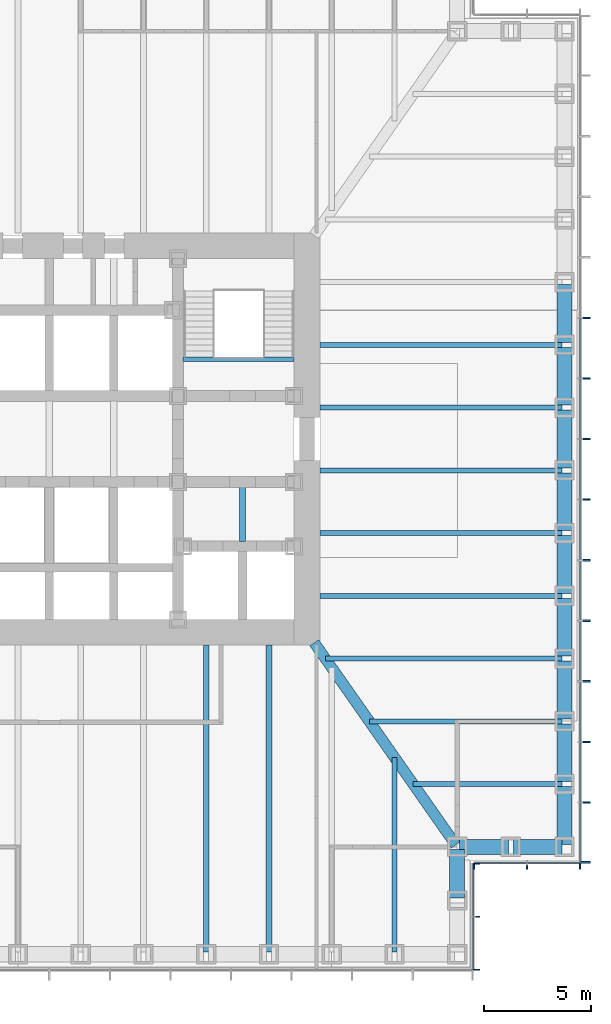
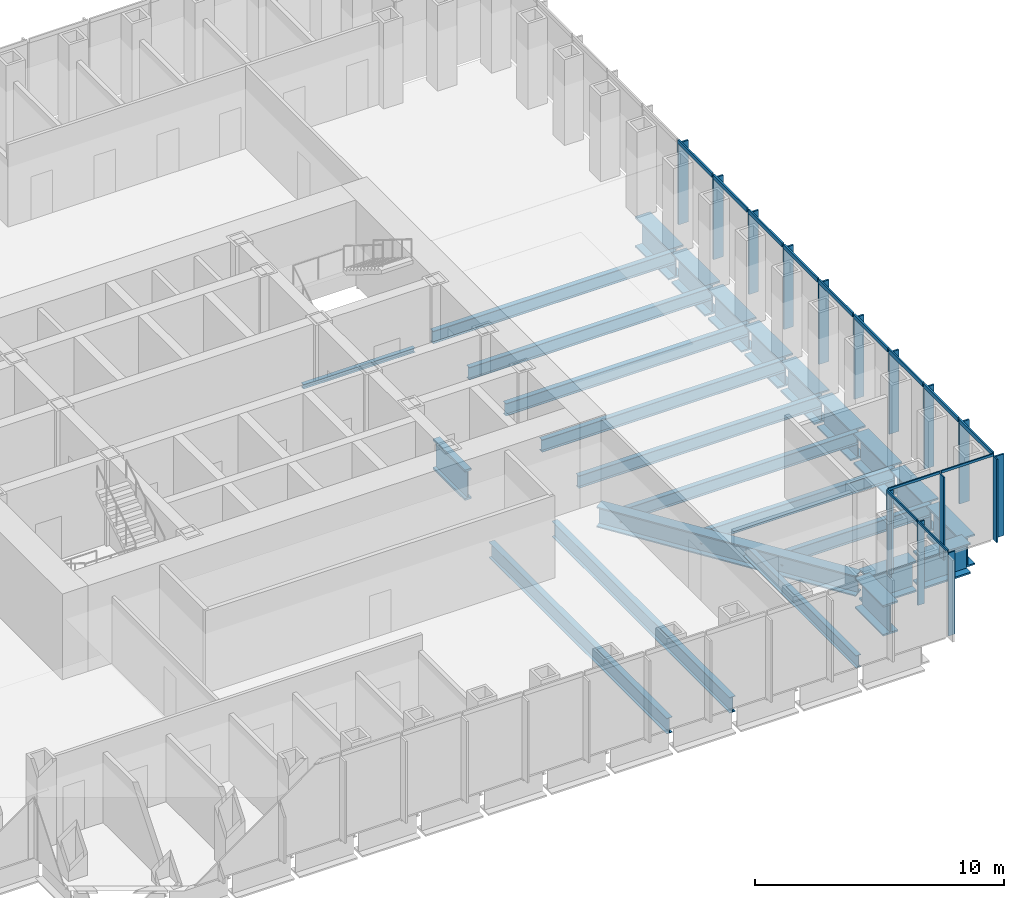
# One storey, part 4 of 16: 29 members, 26 beams, 3 elements without a shape of their own.
"""IFC4 building model written with IfcOpenShell, lengths in metres."""

from ifc_helpers import new_model, si_unit, direction, frame, origin, origin_2d, place, context, subcontext, project, spatial, rectangle, i_section, extrude, material, material_profile, profile_set, type_object, element, aggregate, save


model = new_model("IFC4")

# Units and contexts
model_context = context("Model", 3, precision=1e-05, world=origin(), true_north=direction((0.0, 1.0)))
body_context = subcontext(model_context, "Body", "Model", "MODEL_VIEW")
ifc_project = project(units=[si_unit("LENGTHUNIT", "METRE"), si_unit("AREAUNIT", "SQUARE_METRE"), si_unit("VOLUMEUNIT", "CUBIC_METRE"), si_unit("PLANEANGLEUNIT", "RADIAN"), si_unit("MASSUNIT", "GRAM", prefix="KILO")], contexts=[model_context])

# Site, building, storey
site_placement = place(None, origin())
site = spatial("IfcSite", under=ifc_project, at=site_placement, CompositionType="ELEMENT")
building_placement = place(site_placement, origin())
building = spatial("IfcBuilding", under=site, at=building_placement, Name="Daluyong Arena Tower", CompositionType="ELEMENT")
storey_placement = place(building_placement, frame((0.0, 0.0, 93.699951171875)))
storey = spatial("IfcBuildingStorey", under=building, at=storey_placement, Name="L20", CompositionType="ELEMENT", Elevation=93.699951171875)

# Curtain wall, members
ifc_material_1 = material(Name="Bronze anodised aluminium and glass", Category="aluminium")
curtain_wall_type_1 = type_object("IfcCurtainWallType", Name="Curtain wall CW1", PredefinedType="USERDEFINED", material=ifc_material_1)
curtain_wall_1_placement = place(storey_placement, origin())
curtain_wall_1 = element("IfcCurtainWall", 1, at=curtain_wall_1_placement, inside=storey, type_object=curtain_wall_type_1, Name="curtain wall L20 E", ObjectType="UNITISED CURTAIN WALL", PredefinedType="USERDEFINED")
ifc_material_2 = material(Name="Bronze anodised aluminium fin", Category="aluminium")
ifc_material_profile_1 = material_profile(ifc_material_2, rectangle(XDim=0.449951171875, YDim=0.080078125, at=origin_2d()))
ifc_profile_set_1 = profile_set([ifc_material_profile_1], Name="Bronze anodised aluminium fin")
member_type_1 = type_object("IfcMemberType", Name="CW1 bronze fin 450x80", PredefinedType="MULLION", material=ifc_profile_set_1)
member_1_placement = place(storey_placement, frame((80.97509765625, 60.2900390625, 0.0), z_axis=(0.0, 0.0, 1.0), x_axis=(-1.0, 0.0, 0.0)))
member_1 = element("IfcMember", 2, at=member_1_placement, type_object=member_type_1, Name="curtain wall L20 E fin 1", PredefinedType="MULLION", context=body_context, shape_type="SweptSolid", body=[
    extrude(rectangle(XDim=0.449951171875, YDim=0.080078125, at=origin_2d()), origin(), (0.0, 0.0, 1.0), 4.0),
])
member_2_placement = place(storey_placement, frame((80.97509765625, 63.071533203125, 0.0), z_axis=(0.0, 0.0, 1.0), x_axis=(-1.0, 0.0, 0.0)))
member_2 = element("IfcMember", 3, at=member_2_placement, type_object=member_type_1, Name="curtain wall L20 E fin 2", PredefinedType="MULLION", context=body_context, shape_type="SweptSolid", body=[
    extrude(rectangle(XDim=0.449951171875, YDim=0.080078125, at=origin_2d()), origin(), (0.0, 0.0, 1.0), 4.0),
])
member_3_placement = place(storey_placement, frame((80.97509765625, 65.892822265625, 0.0), z_axis=(0.0, 0.0, 1.0), x_axis=(-1.0, 0.0, 0.0)))
member_3 = element("IfcMember", 4, at=member_3_placement, type_object=member_type_1, Name="curtain wall L20 E fin 3", PredefinedType="MULLION", context=body_context, shape_type="SweptSolid", body=[
    extrude(rectangle(XDim=0.449951171875, YDim=0.080078125, at=origin_2d()), origin(), (0.0, 0.0, 1.0), 4.0),
])
member_4_placement = place(storey_placement, frame((80.97509765625, 68.71435546875, 0.0), z_axis=(0.0, 0.0, 1.0), x_axis=(-1.0, 0.0, 0.0)))
member_4 = element("IfcMember", 5, at=member_4_placement, type_object=member_type_1, Name="curtain wall L20 E fin 4", PredefinedType="MULLION", context=body_context, shape_type="SweptSolid", body=[
    extrude(rectangle(XDim=0.449951171875, YDim=0.080078125, at=origin_2d()), origin(), (0.0, 0.0, 1.0), 4.0),
])
member_5_placement = place(storey_placement, frame((80.97509765625, 71.53564453125, 0.0), z_axis=(0.0, 0.0, 1.0), x_axis=(-1.0, 0.0, 0.0)))
member_5 = element("IfcMember", 6, at=member_5_placement, type_object=member_type_1, Name="curtain wall L20 E fin 5", PredefinedType="MULLION", context=body_context, shape_type="SweptSolid", body=[
    extrude(rectangle(XDim=0.449951171875, YDim=0.080078125, at=origin_2d()), origin(), (0.0, 0.0, 1.0), 4.0),
])
member_6_placement = place(storey_placement, frame((80.97509765625, 74.357177734375, 0.0), z_axis=(0.0, 0.0, 1.0), x_axis=(-1.0, 0.0, 0.0)))
member_6 = element("IfcMember", 7, at=member_6_placement, type_object=member_type_1, Name="curtain wall L20 E fin 6", PredefinedType="MULLION", context=body_context, shape_type="SweptSolid", body=[
    extrude(rectangle(XDim=0.449951171875, YDim=0.080078125, at=origin_2d()), origin(), (0.0, 0.0, 1.0), 4.0),
])
member_7_placement = place(storey_placement, frame((80.97509765625, 77.178466796875, 0.0), z_axis=(0.0, 0.0, 1.0), x_axis=(-1.0, 0.0, 0.0)))
member_7 = element("IfcMember", 8, at=member_7_placement, type_object=member_type_1, Name="curtain wall L20 E fin 7", PredefinedType="MULLION", context=body_context, shape_type="SweptSolid", body=[
    extrude(rectangle(XDim=0.449951171875, YDim=0.080078125, at=origin_2d()), origin(), (0.0, 0.0, 1.0), 4.0),
])
member_8_placement = place(storey_placement, frame((80.97509765625, 80.0, 0.0), z_axis=(0.0, 0.0, 1.0), x_axis=(-1.0, 0.0, 0.0)))
member_8 = element("IfcMember", 9, at=member_8_placement, type_object=member_type_1, Name="curtain wall L20 E fin 8", PredefinedType="MULLION", context=body_context, shape_type="SweptSolid", body=[
    extrude(rectangle(XDim=0.449951171875, YDim=0.080078125, at=origin_2d()), origin(), (0.0, 0.0, 1.0), 4.0),
])
member_9_placement = place(storey_placement, frame((80.97509765625, 82.821533203125, 0.0), z_axis=(0.0, 0.0, 1.0), x_axis=(-1.0, 0.0, 0.0)))
member_9 = element("IfcMember", 10, at=member_9_placement, type_object=member_type_1, Name="curtain wall L20 E fin 9", PredefinedType="MULLION", context=body_context, shape_type="SweptSolid", body=[
    extrude(rectangle(XDim=0.449951171875, YDim=0.080078125, at=origin_2d()), origin(), (0.0, 0.0, 1.0), 4.0),
])
member_10_placement = place(storey_placement, frame((80.97509765625, 85.642822265625, 0.0), z_axis=(0.0, 0.0, 1.0), x_axis=(-1.0, 0.0, 0.0)))
member_10 = element("IfcMember", 11, at=member_10_placement, type_object=member_type_1, Name="curtain wall L20 E fin 10", PredefinedType="MULLION", context=body_context, shape_type="SweptSolid", body=[
    extrude(rectangle(XDim=0.449951171875, YDim=0.080078125, at=origin_2d()), origin(), (0.0, 0.0, 1.0), 4.0),
])
ifc_material_3 = material(Name="Bronze anodised aluminium", Category="aluminium")
ifc_material_profile_2 = material_profile(ifc_material_3, rectangle(XDim=0.080078125, YDim=0.199951171875, at=origin_2d()))
ifc_profile_set_2 = profile_set([ifc_material_profile_2], Name="Bronze anodised aluminium")
member_type_2 = type_object("IfcMemberType", Name="CW1 stack transom 200x80", PredefinedType="USERDEFINED", material=ifc_profile_set_2)
member_11_placement = place(storey_placement, frame((80.75, 60.330078125, 4.10009765625), z_axis=(0.0, 1.0, 0.0), x_axis=(-1.0, 0.0, 0.0)))
member_11 = element("IfcMember", 12, at=member_11_placement, type_object=member_type_2, Name="curtain wall L20 E transom 1", ObjectType="TRANSOM", PredefinedType="USERDEFINED", context=body_context, shape_type="SweptSolid", body=[
    extrude(rectangle(XDim=0.080078125, YDim=0.199951171875, at=origin_2d()), origin(), (0.0, 0.0, 1.0), 2.701416015625),
])
member_12_placement = place(storey_placement, frame((80.75, 63.111328125, 4.10009765625), z_axis=(0.0, 1.0, 0.0), x_axis=(-1.0, 0.0, 0.0)))
member_12 = element("IfcMember", 13, at=member_12_placement, type_object=member_type_2, Name="curtain wall L20 E transom 2", ObjectType="TRANSOM", PredefinedType="USERDEFINED", context=body_context, shape_type="SweptSolid", body=[
    extrude(rectangle(XDim=0.080078125, YDim=0.199951171875, at=origin_2d()), origin(), (0.0, 0.0, 1.0), 2.741455078125),
])
member_13_placement = place(storey_placement, frame((80.75, 65.932861328125, 4.10009765625), z_axis=(0.0, 1.0, 0.0), x_axis=(-1.0, 0.0, 0.0)))
member_13 = element("IfcMember", 14, at=member_13_placement, type_object=member_type_2, Name="curtain wall L20 E transom 3", ObjectType="TRANSOM", PredefinedType="USERDEFINED", context=body_context, shape_type="SweptSolid", body=[
    extrude(rectangle(XDim=0.080078125, YDim=0.199951171875, at=origin_2d()), origin(), (0.0, 0.0, 1.0), 2.741455078125),
])
member_14_placement = place(storey_placement, frame((80.75, 68.75439453125, 4.10009765625), z_axis=(0.0, 1.0, 0.0), x_axis=(-1.0, 0.0, 0.0)))
member_14 = element("IfcMember", 15, at=member_14_placement, type_object=member_type_2, Name="curtain wall L20 E transom 4", ObjectType="TRANSOM", PredefinedType="USERDEFINED", context=body_context, shape_type="SweptSolid", body=[
    extrude(rectangle(XDim=0.080078125, YDim=0.199951171875, at=origin_2d()), origin(), (0.0, 0.0, 1.0), 2.7412109375),
])
member_15_placement = place(storey_placement, frame((80.75, 71.57568359375, 4.10009765625), z_axis=(0.0, 1.0, 0.0), x_axis=(-1.0, 0.0, 0.0)))
member_15 = element("IfcMember", 16, at=member_15_placement, type_object=member_type_2, Name="curtain wall L20 E transom 5", ObjectType="TRANSOM", PredefinedType="USERDEFINED", context=body_context, shape_type="SweptSolid", body=[
    extrude(rectangle(XDim=0.080078125, YDim=0.199951171875, at=origin_2d()), origin(), (0.0, 0.0, 1.0), 2.741455078125),
])
member_16_placement = place(storey_placement, frame((80.75, 74.397216796875, 4.10009765625), z_axis=(0.0, 1.0, 0.0), x_axis=(-1.0, 0.0, 0.0)))
member_16 = element("IfcMember", 17, at=member_16_placement, type_object=member_type_2, Name="curtain wall L20 E transom 6", ObjectType="TRANSOM", PredefinedType="USERDEFINED", context=body_context, shape_type="SweptSolid", body=[
    extrude(rectangle(XDim=0.080078125, YDim=0.199951171875, at=origin_2d()), origin(), (0.0, 0.0, 1.0), 2.741455078125),
])
member_17_placement = place(storey_placement, frame((80.75, 77.218505859375, 4.10009765625), z_axis=(0.0, 1.0, 0.0), x_axis=(-1.0, 0.0, 0.0)))
member_17 = element("IfcMember", 18, at=member_17_placement, type_object=member_type_2, Name="curtain wall L20 E transom 7", ObjectType="TRANSOM", PredefinedType="USERDEFINED", context=body_context, shape_type="SweptSolid", body=[
    extrude(rectangle(XDim=0.080078125, YDim=0.199951171875, at=origin_2d()), origin(), (0.0, 0.0, 1.0), 2.741455078125),
])
member_18_placement = place(storey_placement, frame((80.75, 80.0400390625, 4.10009765625), z_axis=(0.0, 1.0, 0.0), x_axis=(-1.0, 0.0, 0.0)))
member_18 = element("IfcMember", 19, at=member_18_placement, type_object=member_type_2, Name="curtain wall L20 E transom 8", ObjectType="TRANSOM", PredefinedType="USERDEFINED", context=body_context, shape_type="SweptSolid", body=[
    extrude(rectangle(XDim=0.080078125, YDim=0.199951171875, at=origin_2d()), origin(), (0.0, 0.0, 1.0), 2.741455078125),
])
member_19_placement = place(storey_placement, frame((80.75, 82.861328125, 4.10009765625), z_axis=(0.0, 1.0, 0.0), x_axis=(-1.0, 0.0, 0.0)))
member_19 = element("IfcMember", 20, at=member_19_placement, type_object=member_type_2, Name="curtain wall L20 E transom 9", ObjectType="TRANSOM", PredefinedType="USERDEFINED", context=body_context, shape_type="SweptSolid", body=[
    extrude(rectangle(XDim=0.080078125, YDim=0.199951171875, at=origin_2d()), origin(), (0.0, 0.0, 1.0), 2.741455078125),
])
aggregate(curtain_wall_1, [member_1, member_2, member_3, member_4, member_5, member_6, member_7, member_8, member_9, member_10, member_11, member_12, member_13, member_14, member_15, member_16, member_17, member_18, member_19])

ifc_material_4 = material(Name="Bronze anodised aluminium and glass", Category="aluminium")
curtain_wall_type_2 = type_object("IfcCurtainWallType", Name="Curtain wall CW7", PredefinedType="USERDEFINED", material=ifc_material_4)
curtain_wall_2_placement = place(storey_placement, origin())
curtain_wall_2 = element("IfcCurtainWall", 21, at=curtain_wall_2_placement, inside=storey, type_object=curtain_wall_type_2, Name="curtain wall L20 SE-E", ObjectType="UNITISED CURTAIN WALL", PredefinedType="USERDEFINED")
ifc_material_5 = material(Name="Bronze anodised aluminium fin", Category="aluminium")
ifc_material_profile_3 = material_profile(ifc_material_5, rectangle(XDim=0.300048828125, YDim=0.06005859375, at=origin_2d()))
ifc_profile_set_3 = profile_set([ifc_material_profile_3], Name="Bronze anodised aluminium fin")
member_type_3 = type_object("IfcMemberType", Name="CW7 bronze fin 300x60", PredefinedType="MULLION", material=ifc_profile_set_3)
member_20_placement = place(storey_placement, frame((75.89990234375, 55.280029296875, 0.0), z_axis=(0.0, 0.0, 1.0), x_axis=(-1.0, 0.0, 0.0)))
member_20 = element("IfcMember", 22, at=member_20_placement, type_object=member_type_3, Name="curtain wall L20 SE-E fin 1", PredefinedType="MULLION", context=body_context, shape_type="SweptSolid", body=[
    extrude(rectangle(XDim=0.300048828125, YDim=0.06005859375, at=origin_2d()), origin(), (0.0, 0.0, 1.0), 4.080078125),
])
member_21_placement = place(storey_placement, frame((75.89990234375, 57.75, 0.0), z_axis=(0.0, 0.0, 1.0), x_axis=(-1.0, 0.0, 0.0)))
member_21 = element("IfcMember", 23, at=member_21_placement, type_object=member_type_3, Name="curtain wall L20 SE-E fin 2", PredefinedType="MULLION", context=body_context, shape_type="SweptSolid", body=[
    extrude(rectangle(XDim=0.300048828125, YDim=0.06005859375, at=origin_2d()), origin(), (0.0, 0.0, 1.0), 4.080078125),
])
member_22_placement = place(storey_placement, frame((75.89990234375, 60.219970703125, 0.0), z_axis=(0.0, 0.0, 1.0), x_axis=(-1.0, 0.0, 0.0)))
member_22 = element("IfcMember", 24, at=member_22_placement, type_object=member_type_3, Name="curtain wall L20 SE-E fin 3", PredefinedType="MULLION", context=body_context, shape_type="SweptSolid", body=[
    extrude(rectangle(XDim=0.300048828125, YDim=0.06005859375, at=origin_2d()), origin(), (0.0, 0.0, 1.0), 4.080078125),
])

curtain_wall_3_placement = place(storey_placement, origin())
curtain_wall_3 = element("IfcCurtainWall", 25, at=curtain_wall_3_placement, inside=storey, type_object=curtain_wall_type_2, Name="curtain wall L20 SE-S", ObjectType="UNITISED CURTAIN WALL", PredefinedType="USERDEFINED")
member_23_placement = place(storey_placement, frame((75.780029296875, 60.10009765625, 0.0), z_axis=(0.0, 0.0, 1.0), x_axis=(0.0, 1.0, 0.0)))
member_23 = element("IfcMember", 26, at=member_23_placement, type_object=member_type_3, Name="curtain wall L20 SE-S fin 1", PredefinedType="MULLION", context=body_context, shape_type="SweptSolid", body=[
    extrude(rectangle(XDim=0.300048828125, YDim=0.06005859375, at=origin_2d()), origin(), (0.0, 0.0, 1.0), 4.080078125),
])
member_24_placement = place(storey_placement, frame((78.25, 60.10009765625, 0.0), z_axis=(0.0, 0.0, 1.0), x_axis=(0.0, 1.0, 0.0)))
member_24 = element("IfcMember", 27, at=member_24_placement, type_object=member_type_3, Name="curtain wall L20 SE-S fin 2", PredefinedType="MULLION", context=body_context, shape_type="SweptSolid", body=[
    extrude(rectangle(XDim=0.300048828125, YDim=0.06005859375, at=origin_2d()), origin(), (0.0, 0.0, 1.0), 4.080078125),
])
member_25_placement = place(storey_placement, frame((80.719970703125, 60.10009765625, 0.0), z_axis=(0.0, 0.0, 1.0), x_axis=(0.0, 1.0, 0.0)))
member_25 = element("IfcMember", 28, at=member_25_placement, type_object=member_type_3, Name="curtain wall L20 SE-S fin 3", PredefinedType="MULLION", context=body_context, shape_type="SweptSolid", body=[
    extrude(rectangle(XDim=0.300048828125, YDim=0.06005859375, at=origin_2d()), origin(), (0.0, 0.0, 1.0), 4.080078125),
])

# Member
ifc_material_6 = material(Name="Bronze anodised aluminium", Category="aluminium")
ifc_material_profile_4 = material_profile(ifc_material_6, rectangle(XDim=0.06005859375, YDim=0.1201171875, at=origin_2d()))
ifc_profile_set_4 = profile_set([ifc_material_profile_4], Name="Bronze anodised aluminium")
member_type_4 = type_object("IfcMemberType", Name="CW7 stack transom 120x60", PredefinedType="USERDEFINED", material=ifc_profile_set_4)
member_26_placement = place(storey_placement, frame((75.75, 55.31005859375, 4.14013671875), z_axis=(0.0, 1.0, 0.0), x_axis=(-1.0, 0.0, 0.0)))
member_26 = element("IfcMember", 29, at=member_26_placement, type_object=member_type_4, Name="curtain wall L20 SE-E transom 1", ObjectType="TRANSOM", PredefinedType="USERDEFINED", context=body_context, shape_type="SweptSolid", body=[
    extrude(rectangle(XDim=0.06005859375, YDim=0.1201171875, at=origin_2d()), origin(), (0.0, 0.0, 1.0), 2.409912109375),
])

member_27_placement = place(storey_placement, frame((75.75, 57.780029296875, 4.14013671875), z_axis=(0.0, 1.0, 0.0), x_axis=(-1.0, 0.0, 0.0)))
member_27 = element("IfcMember", 30, at=member_27_placement, type_object=member_type_4, Name="curtain wall L20 SE-E transom 2", ObjectType="TRANSOM", PredefinedType="USERDEFINED", context=body_context, shape_type="SweptSolid", body=[
    extrude(rectangle(XDim=0.06005859375, YDim=0.1201171875, at=origin_2d()), origin(), (0.0, 0.0, 1.0), 2.409912109375),
])

aggregate(curtain_wall_2, [member_20, member_21, member_22, member_26, member_27])

member_28_placement = place(storey_placement, frame((75.81005859375, 60.25, 4.14013671875), z_axis=(1.0, 0.0, 0.0), x_axis=(0.0, 1.0, 0.0)))
member_28 = element("IfcMember", 31, at=member_28_placement, type_object=member_type_4, Name="curtain wall L20 SE-S transom 1", ObjectType="TRANSOM", PredefinedType="USERDEFINED", context=body_context, shape_type="SweptSolid", body=[
    extrude(rectangle(XDim=0.06005859375, YDim=0.1201171875, at=origin_2d()), origin(), (0.0, 0.0, 1.0), 2.409912109375),
])

member_29_placement = place(storey_placement, frame((78.280029296875, 60.25, 4.14013671875), z_axis=(1.0, 0.0, 0.0), x_axis=(0.0, 1.0, 0.0)))
member_29 = element("IfcMember", 32, at=member_29_placement, type_object=member_type_4, Name="curtain wall L20 SE-S transom 2", ObjectType="TRANSOM", PredefinedType="USERDEFINED", context=body_context, shape_type="SweptSolid", body=[
    extrude(rectangle(XDim=0.06005859375, YDim=0.1201171875, at=origin_2d()), origin(), (0.0, 0.0, 1.0), 2.409912109375),
])

aggregate(curtain_wall_3, [member_23, member_24, member_25, member_28, member_29])

# Beams
ifc_material_7 = material(Name="Steel ASTM A572 Grade 50", Category="steel")
ifc_material_profile_5 = material_profile(ifc_material_7, i_section(OverallWidth=0.5, OverallDepth=1.0, WebThickness=0.03, FlangeThickness=0.06, at=origin_2d()))
ifc_profile_set_5 = profile_set([ifc_material_profile_5], Name="Steel ASTM A572 Grade 50")
beam_type_1 = type_object("IfcBeamType", Name="Corner girder TB1000X500", PredefinedType="BEAM", material=ifc_profile_set_5)
beam_1_placement = place(storey_placement, frame((74.93408203125, 61.09423828125, -0.659912109375), z_axis=(-0.573466621875, 0.819228926244, 0.0), x_axis=(-0.819228926244, -0.573466621875, 0.0)))
element("IfcBeam", 33, at=beam_1_placement, inside=storey, type_object=beam_type_1, Name="corner girder DG2", PredefinedType="BEAM", context=body_context, shape_type="SweptSolid", body=[
    extrude(i_section(OverallWidth=0.5, OverallDepth=1.0, WebThickness=0.03, FlangeThickness=0.06, at=origin_2d()), origin(), (0.0, 0.0, 1.0), 11.49169921875),
])
ifc_material_8 = material(Name="Steel ASTM A992 Grade 50", Category="steel")
ifc_material_profile_6 = material_profile(ifc_material_8, i_section(OverallWidth=0.22900390625, OverallDepth=0.612060546875, WebThickness=0.011962890625, FlangeThickness=0.01953125, at=origin_2d()))
ifc_profile_set_6 = profile_set([ifc_material_profile_6], Name="Steel ASTM A992 Grade 50")
beam_type_2 = type_object("IfcBeamType", Name="Floor beam W24X84", PredefinedType="BEAM", material=ifc_profile_set_6)
beam_2_placement = place(storey_placement, frame((72.076904296875, 56.114990234375, -0.466064453125), z_axis=(0.0, 1.0, 0.0), x_axis=(-1.0, 0.0, 0.0)))
element("IfcBeam", 34, at=beam_2_placement, inside=storey, type_object=beam_type_2, Name="floor beam FB3", PredefinedType="BEAM", context=body_context, shape_type="SweptSolid", body=[
    extrude(i_section(OverallWidth=0.22900390625, OverallDepth=0.612060546875, WebThickness=0.011962890625, FlangeThickness=0.01953125, at=origin_2d()), origin(), (0.0, 0.0, 1.0), 9.060791015625),
])
beam_3_placement = place(storey_placement, frame((79.885009765625, 63.923095703125, -0.466064453125), z_axis=(-1.0, 0.0, 0.0), x_axis=(0.0, -1.0, 0.0)))
element("IfcBeam", 35, at=beam_3_placement, inside=storey, type_object=beam_type_2, Name="floor beam FB3", PredefinedType="BEAM", context=body_context, shape_type="SweptSolid", body=[
    extrude(i_section(OverallWidth=0.22900390625, OverallDepth=0.612060546875, WebThickness=0.011962890625, FlangeThickness=0.01953125, at=origin_2d()), origin(), (0.0, 0.0, 1.0), 6.93115234375),
])
beam_4_placement = place(storey_placement, frame((79.885009765625, 66.84619140625, -0.466064453125), z_axis=(-1.0, 0.0, 0.0), x_axis=(0.0, -1.0, 0.0)))
element("IfcBeam", 36, at=beam_4_placement, inside=storey, type_object=beam_type_2, Name="floor beam FB3", PredefinedType="BEAM", context=body_context, shape_type="SweptSolid", body=[
    extrude(i_section(OverallWidth=0.22900390625, OverallDepth=0.612060546875, WebThickness=0.011962890625, FlangeThickness=0.01953125, at=origin_2d()), origin(), (0.0, 0.0, 1.0), 8.977294921875),
])
beam_5_placement = place(storey_placement, frame((79.885009765625, 69.769287109375, -0.466064453125), z_axis=(-1.0, 0.0, 0.0), x_axis=(0.0, -1.0, 0.0)))
element("IfcBeam", 37, at=beam_5_placement, inside=storey, type_object=beam_type_2, Name="floor beam FB3", PredefinedType="BEAM", context=body_context, shape_type="SweptSolid", body=[
    extrude(i_section(OverallWidth=0.22900390625, OverallDepth=0.612060546875, WebThickness=0.011962890625, FlangeThickness=0.01953125, at=origin_2d()), origin(), (0.0, 0.0, 1.0), 11.0234375),
])
for number, where, z_axis, x_axis, name in (
    (38, (79.885009765625, 72.6923828125, -0.466064453125), (-1.0, 0.0, 0.0), (0.0, -1.0, 0.0), "floor beam FB3"),
    (39, (79.885009765625, 75.615478515625, -0.466064453125), (-1.0, 0.0, 0.0), (0.0, -1.0, 0.0), "floor beam FB3"),
    (40, (79.885009765625, 78.53857421875, -0.466064453125), (-1.0, 0.0, 0.0), (0.0, -1.0, 0.0), "floor beam FB3"),
    (41, (79.885009765625, 81.46142578125, -0.466064453125), (-1.0, 0.0, 0.0), (0.0, -1.0, 0.0), "floor beam FB3"),
    (42, (79.885009765625, 84.384521484375, -0.466064453125), (-1.0, 0.0, 0.0), (0.0, -1.0, 0.0), "floor beam FB3"),
):
    element("IfcBeam", number, at=place(storey_placement, frame(where, z_axis=z_axis, x_axis=x_axis)), inside=storey, type_object=beam_type_2, Name=name, PredefinedType="BEAM", context=body_context, shape_type="SweptSolid", body=[
        extrude(i_section(OverallWidth=0.22900390625, OverallDepth=0.612060546875, WebThickness=0.011962890625, FlangeThickness=0.01953125, at=origin_2d()), origin(), (0.0, 0.0, 1.0), 11.284912109375),
    ])
ifc_material_9 = material(Name="Steel ASTM A992 Grade 50", Category="steel")
ifc_material_profile_7 = material_profile(ifc_material_9, i_section(OverallWidth=0.2666015625, OverallDepth=0.761962890625, WebThickness=0.014404296875, FlangeThickness=0.021484375, at=origin_2d()))
ifc_profile_set_7 = profile_set([ifc_material_profile_7], Name="Steel ASTM A992 Grade 50")
beam_type_3 = type_object("IfcBeamType", Name="Floor beam W30X116", PredefinedType="BEAM", material=ifc_profile_set_7)
for number, where, z_axis, x_axis, name in (
    (43, (63.3076171875, 56.114990234375, -0.541015625), (0.0, 1.0, 0.0), (-1.0, 0.0, 0.0), "floor beam FB4"),
    (44, (66.230712890625, 56.114990234375, -0.541015625), (0.0, 1.0, 0.0), (-1.0, 0.0, 0.0), "floor beam FB4"),
):
    element("IfcBeam", number, at=place(storey_placement, frame(where, z_axis=z_axis, x_axis=x_axis)), inside=storey, type_object=beam_type_3, Name=name, PredefinedType="BEAM", context=body_context, shape_type="SweptSolid", body=[
        extrude(i_section(OverallWidth=0.2666015625, OverallDepth=0.761962890625, WebThickness=0.014404296875, FlangeThickness=0.021484375, at=origin_2d()), origin(), (0.0, 0.0, 1.0), 14.284912109375),
    ])
ifc_material_10 = material(Name="Steel ASTM A572 Grade 50", Category="steel")
ifc_material_profile_8 = material_profile(ifc_material_10, i_section(OverallWidth=0.300048828125, OverallDepth=1.5, WebThickness=0.04, FlangeThickness=0.1, at=origin_2d()))
ifc_profile_set_8 = profile_set([ifc_material_profile_8], Name="Steel ASTM A572 Grade 50")
beam_type_4 = type_object("IfcBeamType", Name="Lift divider beam PG1500X300", PredefinedType="BEAM", material=ifc_profile_set_8)
beam_6_placement = place(storey_placement, frame((65.0, 75.22509765625, -0.909912109375), z_axis=(0.0, 1.0, 0.0), x_axis=(-1.0, 0.0, 0.0)))
element("IfcBeam", 45, at=beam_6_placement, inside=storey, type_object=beam_type_4, Name="lift divider beam DB2", PredefinedType="BEAM", context=body_context, shape_type="SweptSolid", body=[
    extrude(i_section(OverallWidth=0.300048828125, OverallDepth=1.5, WebThickness=0.04, FlangeThickness=0.1, at=origin_2d()), origin(), (0.0, 0.0, 1.0), 2.5498046875),
])
ifc_material_11 = material(Name="Steel ASTM A572 Grade 50", Category="steel")
ifc_material_profile_9 = material_profile(ifc_material_11, i_section(OverallWidth=0.699951171875, OverallDepth=1.5, WebThickness=0.04, FlangeThickness=0.08, at=origin_2d()))
ifc_profile_set_9 = profile_set([ifc_material_profile_9], Name="Steel ASTM A572 Grade 50")
beam_type_5 = type_object("IfcBeamType", Name="Spandrel Z1 PG1500X700", PredefinedType="SPANDREL", material=ifc_profile_set_9)
for number, where, z_axis, x_axis, name in (
    (46, (75.0, 58.614990234375, -0.909912109375), (0.0, 1.0, 0.0), (-1.0, 0.0, 0.0), "spandrel z1 SB4"),
    (47, (75.114990234375, 61.0, -0.909912109375), (1.0, 0.0, 0.0), (0.0, 1.0, 0.0), "spandrel z1 SB4"),
    (48, (77.614990234375, 61.0, -0.909912109375), (1.0, 0.0, 0.0), (0.0, 1.0, 0.0), "spandrel z1 SB4"),
):
    element("IfcBeam", number, at=place(storey_placement, frame(where, z_axis=z_axis, x_axis=x_axis)), inside=storey, type_object=beam_type_5, Name=name, PredefinedType="SPANDREL", context=body_context, shape_type="SweptSolid", body=[
        extrude(i_section(OverallWidth=0.699951171875, OverallDepth=1.5, WebThickness=0.04, FlangeThickness=0.08, at=origin_2d()), origin(), (0.0, 0.0, 1.0), 2.27001953125),
    ])
for number, where, z_axis, x_axis, name in (
    (49, (80.0, 61.114990234375, -0.909912109375), (0.0, 1.0, 0.0), (-1.0, 0.0, 0.0), "spandrel z1 SB4"),
    (50, (80.0, 64.0380859375, -0.909912109375), (0.0, 1.0, 0.0), (-1.0, 0.0, 0.0), "spandrel z1 SB4"),
    (51, (80.0, 66.961181640625, -0.909912109375), (0.0, 1.0, 0.0), (-1.0, 0.0, 0.0), "spandrel z1 SB4"),
    (52, (80.0, 69.88427734375, -0.909912109375), (0.0, 1.0, 0.0), (-1.0, 0.0, 0.0), "spandrel z1 SB4"),
    (53, (80.0, 72.807373046875, -0.909912109375), (0.0, 1.0, 0.0), (-1.0, 0.0, 0.0), "spandrel z1 SB4"),
    (54, (80.0, 75.73046875, -0.909912109375), (0.0, 1.0, 0.0), (-1.0, 0.0, 0.0), "spandrel z1 SB4"),
):
    element("IfcBeam", number, at=place(storey_placement, frame(where, z_axis=z_axis, x_axis=x_axis)), inside=storey, type_object=beam_type_5, Name=name, PredefinedType="SPANDREL", context=body_context, shape_type="SweptSolid", body=[
        extrude(i_section(OverallWidth=0.699951171875, OverallDepth=1.5, WebThickness=0.04, FlangeThickness=0.08, at=origin_2d()), origin(), (0.0, 0.0, 1.0), 2.693115234375),
    ])
beam_7_placement = place(storey_placement, frame((80.0, 78.653564453125, -0.909912109375), z_axis=(0.0, 1.0, 0.0), x_axis=(-1.0, 0.0, 0.0)))
element("IfcBeam", 55, at=beam_7_placement, inside=storey, type_object=beam_type_5, Name="spandrel z1 SB4", PredefinedType="SPANDREL", context=body_context, shape_type="SweptSolid", body=[
    extrude(i_section(OverallWidth=0.699951171875, OverallDepth=1.5, WebThickness=0.04, FlangeThickness=0.08, at=origin_2d()), origin(), (0.0, 0.0, 1.0), 2.69287109375),
])
for number, where, z_axis, x_axis, name in (
    (56, (80.0, 81.576416015625, -0.909912109375), (0.0, 1.0, 0.0), (-1.0, 0.0, 0.0), "spandrel z1 SB4"),
    (57, (80.0, 84.49951171875, -0.909912109375), (0.0, 1.0, 0.0), (-1.0, 0.0, 0.0), "spandrel z1 SB4"),
):
    element("IfcBeam", number, at=place(storey_placement, frame(where, z_axis=z_axis, x_axis=x_axis)), inside=storey, type_object=beam_type_5, Name=name, PredefinedType="SPANDREL", context=body_context, shape_type="SweptSolid", body=[
        extrude(i_section(OverallWidth=0.699951171875, OverallDepth=1.5, WebThickness=0.04, FlangeThickness=0.08, at=origin_2d()), origin(), (0.0, 0.0, 1.0), 2.693115234375),
    ])
ifc_material_12 = material(Name="Steel ASTM A992 Grade 50", Category="steel")
ifc_material_profile_10 = material_profile(ifc_material_12, i_section(OverallWidth=0.203125, OverallDepth=0.203125, WebThickness=0.00732421875, FlangeThickness=0.010986328125, at=origin_2d()))
ifc_profile_set_10 = profile_set([ifc_material_profile_10], Name="Steel ASTM A992 Grade 50")
beam_type_6 = type_object("IfcBeamType", Name="Stair landing beam W8X31", PredefinedType="BEAM", material=ifc_profile_set_10)
beam_8_placement = place(storey_placement, frame((62.22509765625, 83.723388671875, -0.261474609375), z_axis=(1.0, 0.0, 0.0), x_axis=(0.0, 1.0, 0.0)))
element("IfcBeam", 58, at=beam_8_placement, inside=storey, type_object=beam_type_6, Name="exit stair B landing beam", PredefinedType="BEAM", context=body_context, shape_type="SweptSolid", body=[
    extrude(i_section(OverallWidth=0.203125, OverallDepth=0.203125, WebThickness=0.00732421875, FlangeThickness=0.010986328125, at=origin_2d()), origin(), (0.0, 0.0, 1.0), 5.1748046875),
])

save(model, "model.ifc")
